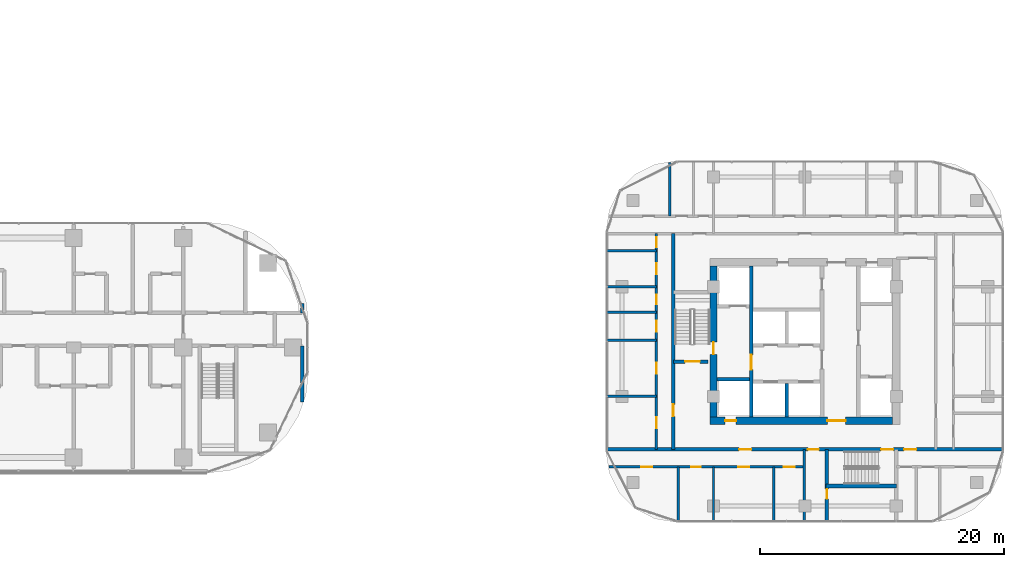
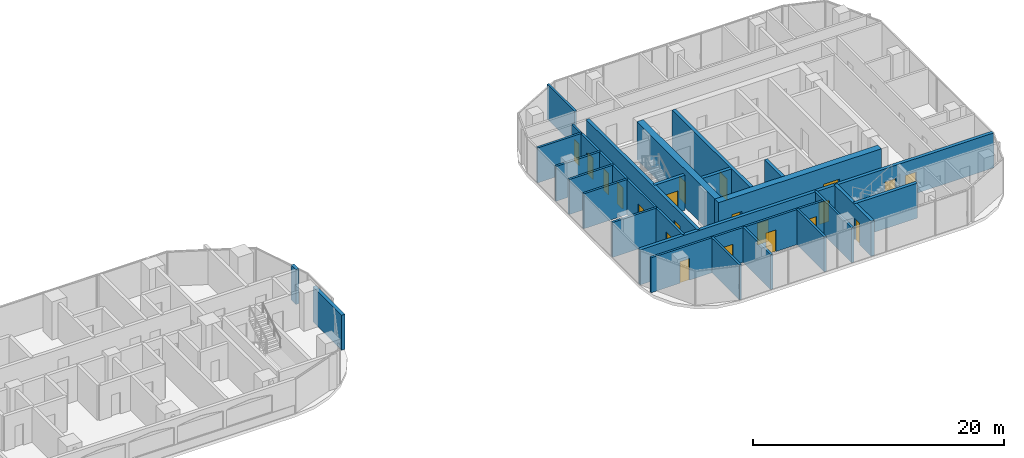
# One storey, part 24 of 36: 24 walls, 21 doors, 21 openings.
"""IFC4 building model written with IfcOpenShell, lengths in metres."""

from ifc_helpers import new_model, si_unit, direction, frame, frame_2d, origin, place, context, subcontext, project, spatial, rectangle, extrude, material, layer, layer_set, type_object, element, fill, save


model = new_model("IFC4")

# Units and contexts
model_context = context("Model", 3, precision=1e-05, world=origin(), true_north=direction((0.0, 1.0)))
body_context = subcontext(model_context, "Body", "Model", "MODEL_VIEW")
ifc_project = project(units=[si_unit("LENGTHUNIT", "METRE"), si_unit("AREAUNIT", "SQUARE_METRE"), si_unit("VOLUMEUNIT", "CUBIC_METRE"), si_unit("PLANEANGLEUNIT", "RADIAN"), si_unit("MASSUNIT", "GRAM", prefix="KILO")], contexts=[model_context])

# Site, building, storey
site_placement = place(None, origin())
site = spatial("IfcSite", under=ifc_project, at=site_placement, CompositionType="ELEMENT")
building_placement = place(site_placement, origin())
building = spatial("IfcBuilding", under=site, at=building_placement, Name="Ogive Portal Towers", CompositionType="ELEMENT")
storey_placement = place(building_placement, frame((0.0, 0.0, 48.300048828125)))
storey = spatial("IfcBuildingStorey", under=building, at=storey_placement, Name="L10", CompositionType="ELEMENT", Elevation=48.300048828125)

# Wall, opening, door
ifc_material_1 = material(Name="Concrete C60/75", Category="concrete")
ifc_layer_1 = layer(ifc_material_1, 0.300048828125)
ifc_layer_set_1 = layer_set([ifc_layer_1], Name="CORE WALL 300 C60")
wall_type_1 = type_object("IfcWallType", Name="CORE WALL 300 C60", PredefinedType="SHEAR", material=ifc_layer_set_1)
wall_1_placement = place(storey_placement, frame((132.10009765625, 24.800048828125, 0.0), z_axis=(0.0, 0.0, 1.0), x_axis=(0.0, 1.0, 0.0)))
wall_1 = element("IfcWall", 1, at=wall_1_placement, inside=storey, type_object=wall_type_1, Name="Tower B core wall BX1 L10", PredefinedType="SHEAR", context=body_context, shape_type="SweptSolid", body=[
    extrude(rectangle(XDim=12.39990234375, YDim=0.300048828125, at=frame_2d((6.199951171875, 0.0))), origin(), (0.0, 0.0, 1.0), 3.699951171875),
])
opening_1_placement = place(wall_1_placement, frame((3.89990234375, 0.0, 0.0)))
opening_1 = element("IfcOpeningElement", 2, at=opening_1_placement, cuts=wall_1, Name="Opening B02-042", PredefinedType="OPENING", context=body_context, shape_type="SweptSolid", body=[
    extrude(rectangle(XDim=1.199951171875, YDim=2.10009765625, at=frame_2d((0.60009765625, 1.050048828125))), frame((0.0, 0.16015625, 0.0), z_axis=(0.0, -1.0, 0.0), x_axis=(1.0, 0.0, 0.0)), (0.0, 0.0, 1.0), 0.320068359375),
])
ifc_material_2 = material(Name="Steel fire door", Category="steel")
door_type_1 = type_object("IfcDoorType", Name="DT-SWING-1200x2100-FD90S", OperationType="SINGLE_SWING_LEFT", PredefinedType="DOOR", material=ifc_material_2)
door_1_placement = place(opening_1_placement, origin())
door_1 = element("IfcDoor", 3, at=door_1_placement, inside=storey, type_object=door_type_1, Name="Door B02-042", OperationType="SINGLE_SWING_LEFT", OverallHeight=2.10009765625, OverallWidth=1.199951171875, PredefinedType="DOOR", context=body_context, shape_type="SweptSolid", body=[
    extrude(rectangle(XDim=1.199951171875, YDim=2.10009765625, at=frame_2d((0.60009765625, 1.050048828125))), frame((0.0, 0.02490234375, 0.0), z_axis=(0.0, -1.0, 0.0), x_axis=(1.0, 0.0, 0.0)), (0.0, 0.0, 1.0), 0.050048828125),
])
fill(opening_1, door_1)

# Walls
wall_2_placement = place(storey_placement, frame((135.0, 24.800048828125, 0.0), z_axis=(0.0, 0.0, 1.0), x_axis=(0.0, 1.0, 0.0)))
element("IfcWall", 4, at=wall_2_placement, inside=storey, type_object=wall_type_1, Name="Tower B core wall BX4 L10", PredefinedType="SHEAR", context=body_context, shape_type="SweptSolid", body=[
    extrude(rectangle(XDim=2.75, YDim=0.300048828125, at=frame_2d((1.375, 0.0))), origin(), (0.0, 0.0, 1.0), 3.699951171875),
])
wall_3_placement = place(storey_placement, frame((129.300048828125, 27.89990234375, 0.0), z_axis=(0.0, 0.0, 1.0), x_axis=(1.0, 0.0, 0.0)))
element("IfcWall", 5, at=wall_3_placement, inside=storey, type_object=wall_type_1, Name="Tower B core wall BY4 L10", PredefinedType="SHEAR", context=body_context, shape_type="SweptSolid", body=[
    extrude(rectangle(XDim=2.64990234375, YDim=0.300048828125, at=frame_2d((1.324951171875, 0.0))), origin(), (0.0, 0.0, 1.0), 3.699951171875),
])

# Wall, opening, door
ifc_layer_2 = layer(ifc_material_1, 0.60009765625)
ifc_layer_set_2 = layer_set([ifc_layer_2], Name="CORE WALL 600 C60")
wall_type_2 = type_object("IfcWallType", Name="CORE WALL 600 C60", PredefinedType="SHEAR", material=ifc_layer_set_2)
wall_4_placement = place(storey_placement, frame((129.0, 24.800048828125, 0.0), z_axis=(0.0, 0.0, 1.0), x_axis=(0.0, 1.0, 0.0)))
wall_4 = element("IfcWall", 6, at=wall_4_placement, inside=storey, type_object=wall_type_2, Name="Tower B core wall BW L10", PredefinedType="SHEAR", context=body_context, shape_type="SweptSolid", body=[
    extrude(rectangle(XDim=12.39990234375, YDim=0.60009765625, at=frame_2d((6.199951171875, 0.0))), origin(), (0.0, 0.0, 1.0), 3.699951171875),
])
opening_2_placement = place(wall_4_placement, frame((5.14990234375, 0.0, 0.0)))
opening_2 = element("IfcOpeningElement", 7, at=opening_2_placement, cuts=wall_4, Name="Opening B02-044", PredefinedType="OPENING", context=body_context, shape_type="SweptSolid", body=[
    extrude(rectangle(XDim=1.0, YDim=2.10009765625, at=frame_2d((0.5, 1.050048828125))), frame((0.0, 0.31005859375, 0.0), z_axis=(0.0, -1.0, 0.0), x_axis=(1.0, 0.0, 0.0)), (0.0, 0.0, 1.0), 0.6201171875),
])
door_type_2 = type_object("IfcDoorType", Name="DT-SWING-1000x2100-FD90S", OperationType="SINGLE_SWING_LEFT", PredefinedType="DOOR", material=ifc_material_2)
door_2_placement = place(opening_2_placement, origin())
door_2 = element("IfcDoor", 8, at=door_2_placement, inside=storey, type_object=door_type_2, Name="Door B02-044", OperationType="SINGLE_SWING_RIGHT", OverallHeight=2.10009765625, OverallWidth=1.0, PredefinedType="DOOR", context=body_context, shape_type="SweptSolid", body=[
    extrude(rectangle(XDim=1.0, YDim=2.10009765625, at=frame_2d((0.5, 1.050048828125))), frame((0.0, 0.02490234375, 0.0), z_axis=(0.0, -1.0, 0.0), x_axis=(1.0, 0.0, 0.0)), (0.0, 0.0, 1.0), 0.050048828125),
])
fill(opening_2, door_2)

# Wall, openings, doors
wall_5_placement = place(storey_placement, frame((128.699951171875, 24.5, 0.0), z_axis=(0.0, 0.0, 1.0), x_axis=(1.0, 0.0, 0.0)))
wall_5 = element("IfcWall", 9, at=wall_5_placement, inside=storey, type_object=wall_type_2, Name="Tower B core wall BS L10", PredefinedType="SHEAR", context=body_context, shape_type="SweptSolid", body=[
    extrude(rectangle(XDim=15.0, YDim=0.60009765625, at=frame_2d((7.5, 0.0))), origin(), (0.0, 0.0, 1.0), 3.699951171875),
])
opening_3_placement = place(wall_5_placement, frame((9.64990234375, 0.0, 0.0)))
opening_3 = element("IfcOpeningElement", 10, at=opening_3_placement, cuts=wall_5, Name="Opening B02-045", PredefinedType="OPENING", context=body_context, shape_type="SweptSolid", body=[
    extrude(rectangle(XDim=1.5, YDim=2.10009765625, at=frame_2d((0.75, 1.050048828125))), frame((0.0, 0.31005859375, 0.0), z_axis=(0.0, -1.0, 0.0), x_axis=(1.0, 0.0, 0.0)), (0.0, 0.0, 1.0), 0.6201171875),
])
opening_4_placement = place(wall_5_placement, frame((1.25, 0.0, 0.0)))
opening_4 = element("IfcOpeningElement", 11, at=opening_4_placement, cuts=wall_5, Name="Opening B02-047", PredefinedType="OPENING", context=body_context, shape_type="SweptSolid", body=[
    extrude(rectangle(XDim=0.89990234375, YDim=2.10009765625, at=frame_2d((0.449951171875, 1.050048828125))), frame((0.0, 0.31005859375, 0.0), z_axis=(0.0, -1.0, 0.0), x_axis=(1.0, 0.0, 0.0)), (0.0, 0.0, 1.0), 0.6201171875),
])
door_type_3 = type_object("IfcDoorType", Name="DT-SWING-1500x2100-FD90S", OperationType="SINGLE_SWING_LEFT", PredefinedType="DOOR", material=ifc_material_2)
door_3_placement = place(opening_3_placement, origin())
door_3 = element("IfcDoor", 12, at=door_3_placement, inside=storey, type_object=door_type_3, Name="Door B02-045", OperationType="SINGLE_SWING_LEFT", OverallHeight=2.10009765625, OverallWidth=1.5, PredefinedType="DOOR", context=body_context, shape_type="SweptSolid", body=[
    extrude(rectangle(XDim=1.5, YDim=2.10009765625, at=frame_2d((0.75, 1.050048828125))), frame((0.0, 0.02490234375, 0.0), z_axis=(0.0, -1.0, 0.0), x_axis=(1.0, 0.0, 0.0)), (0.0, 0.0, 1.0), 0.050048828125),
])
fill(opening_3, door_3)
door_type_4 = type_object("IfcDoorType", Name="DT-SWING-900x2100-FD90S", OperationType="SINGLE_SWING_LEFT", PredefinedType="DOOR", material=ifc_material_2)
door_4_placement = place(opening_4_placement, origin())
door_4 = element("IfcDoor", 13, at=door_4_placement, inside=storey, type_object=door_type_4, Name="Riser access door B02-047", OperationType="SINGLE_SWING_LEFT", OverallHeight=2.10009765625, OverallWidth=0.89990234375, PredefinedType="DOOR", context=body_context, shape_type="SweptSolid", body=[
    extrude(rectangle(XDim=0.89990234375, YDim=2.10009765625, at=frame_2d((0.449951171875, 1.050048828125))), frame((0.0, 0.02490234375, 0.0), z_axis=(0.0, -1.0, 0.0), x_axis=(1.0, 0.0, 0.0)), (0.0, 0.0, 1.0), 0.050048828125),
])
fill(opening_4, door_4)

# Wall
ifc_material_3 = material(Name="Concrete C50/60", Category="concrete")
ifc_layer_3 = layer(ifc_material_3, 0.300048828125)
ifc_layer_set_3 = layer_set([ifc_layer_3], Name="STAIR WALL 300 C50")
wall_type_3 = type_object("IfcWallType", Name="STAIR WALL 300 C50", PredefinedType="SHEAR", material=ifc_layer_set_3)
wall_6_placement = place(storey_placement, frame((138.25, 19.14990234375, 0.0), z_axis=(0.0, 0.0, 1.0), x_axis=(1.0, 0.0, 0.0)))
element("IfcWall", 14, at=wall_6_placement, inside=storey, type_object=wall_type_3, Name="Stair wall ST-B2 L10", PredefinedType="SHEAR", context=body_context, shape_type="SweptSolid", body=[
    extrude(rectangle(XDim=5.75, YDim=0.300048828125, at=frame_2d((2.875, 0.0))), origin(), (0.0, 0.0, 1.0), 3.39990234375),
])

# Wall, openings, doors
wall_7_placement = place(storey_placement, frame((120.235107421875, 22.14990234375, 0.0), z_axis=(0.0, 0.0, 1.0), x_axis=(1.0, 0.0, 0.0)))
wall_7 = element("IfcWall", 15, at=wall_7_placement, inside=storey, type_object=wall_type_3, Name="Stair wall ST-B2 L10", PredefinedType="SHEAR", context=body_context, shape_type="SweptSolid", body=[
    extrude(rectangle(XDim=32.52978515625, YDim=0.300048828125, at=frame_2d((16.264892578125, 0.0))), origin(), (0.0, 0.0, 1.0), 3.39990234375),
])
opening_5_placement = place(wall_7_placement, frame((22.514892578125, 0.0, 0.0)))
opening_5 = element("IfcOpeningElement", 16, at=opening_5_placement, cuts=wall_7, Name="Opening B02-003", PredefinedType="OPENING", context=body_context, shape_type="SweptSolid", body=[
    extrude(rectangle(XDim=1.0, YDim=2.10009765625, at=frame_2d((0.5, 1.050048828125))), frame((0.0, 0.16015625, 0.0), z_axis=(0.0, -1.0, 0.0), x_axis=(1.0, 0.0, 0.0)), (0.0, 0.0, 1.0), 0.320068359375),
])
opening_6_placement = place(wall_7_placement, frame((10.864990234375, 0.0, 0.0)))
opening_6 = element("IfcOpeningElement", 17, at=opening_6_placement, cuts=wall_7, Name="Opening B02-017", PredefinedType="OPENING", context=body_context, shape_type="SweptSolid", body=[
    extrude(rectangle(XDim=1.0, YDim=2.10009765625, at=frame_2d((0.5, 1.050048828125))), frame((0.0, 0.16015625, 0.0), z_axis=(0.0, -1.0, 0.0), x_axis=(1.0, 0.0, 0.0)), (0.0, 0.0, 1.0), 0.320068359375),
])
opening_7_placement = place(wall_7_placement, frame((24.4150390625, 0.0, 0.0)))
opening_7 = element("IfcOpeningElement", 18, at=opening_7_placement, cuts=wall_7, Name="Opening B02-022", PredefinedType="OPENING", context=body_context, shape_type="SweptSolid", body=[
    extrude(rectangle(XDim=1.0, YDim=2.10009765625, at=frame_2d((0.5, 1.050048828125))), frame((0.0, 0.16015625, 0.0), z_axis=(0.0, -1.0, 0.0), x_axis=(1.0, 0.0, 0.0)), (0.0, 0.0, 1.0), 0.320068359375),
])
opening_8_placement = place(wall_7_placement, frame((16.514892578125, 0.0, 0.0)))
opening_8 = element("IfcOpeningElement", 19, at=opening_8_placement, cuts=wall_7, Name="Opening B02-026", PredefinedType="OPENING", context=body_context, shape_type="SweptSolid", body=[
    extrude(rectangle(XDim=0.89990234375, YDim=2.10009765625, at=frame_2d((0.449951171875, 1.050048828125))), frame((0.0, 0.16015625, 0.0), z_axis=(0.0, -1.0, 0.0), x_axis=(1.0, 0.0, 0.0)), (0.0, 0.0, 1.0), 0.320068359375),
])
door_5_placement = place(opening_5_placement, origin())
door_5 = element("IfcDoor", 20, at=door_5_placement, inside=storey, type_object=door_type_2, Name="Door B02-003", OperationType="SINGLE_SWING_LEFT", OverallHeight=2.10009765625, OverallWidth=1.0, PredefinedType="DOOR", context=body_context, shape_type="SweptSolid", body=[
    extrude(rectangle(XDim=1.0, YDim=2.10009765625, at=frame_2d((0.5, 1.050048828125))), frame((0.0, 0.02490234375, 0.0), z_axis=(0.0, -1.0, 0.0), x_axis=(1.0, 0.0, 0.0)), (0.0, 0.0, 1.0), 0.050048828125),
])
fill(opening_5, door_5)
door_6_placement = place(opening_6_placement, origin())
door_6 = element("IfcDoor", 21, at=door_6_placement, inside=storey, type_object=door_type_2, Name="Door B02-017", OperationType="SINGLE_SWING_LEFT", OverallHeight=2.10009765625, OverallWidth=1.0, PredefinedType="DOOR", context=body_context, shape_type="SweptSolid", body=[
    extrude(rectangle(XDim=1.0, YDim=2.10009765625, at=frame_2d((0.5, 1.050048828125))), frame((0.0, 0.02490234375, 0.0), z_axis=(0.0, -1.0, 0.0), x_axis=(1.0, 0.0, 0.0)), (0.0, 0.0, 1.0), 0.050048828125),
])
fill(opening_6, door_6)
door_7_placement = place(opening_7_placement, origin())
door_7 = element("IfcDoor", 22, at=door_7_placement, inside=storey, type_object=door_type_2, Name="Door B02-022", OperationType="SINGLE_SWING_RIGHT", OverallHeight=2.10009765625, OverallWidth=1.0, PredefinedType="DOOR", context=body_context, shape_type="SweptSolid", body=[
    extrude(rectangle(XDim=1.0, YDim=2.10009765625, at=frame_2d((0.5, 1.050048828125))), frame((0.0, 0.02490234375, 0.0), z_axis=(0.0, -1.0, 0.0), x_axis=(1.0, 0.0, 0.0)), (0.0, 0.0, 1.0), 0.050048828125),
])
fill(opening_7, door_7)
door_8_placement = place(opening_8_placement, origin())
door_8 = element("IfcDoor", 23, at=door_8_placement, inside=storey, type_object=door_type_4, Name="Door B02-026", OperationType="SINGLE_SWING_RIGHT", OverallHeight=2.10009765625, OverallWidth=0.89990234375, PredefinedType="DOOR", context=body_context, shape_type="SweptSolid", body=[
    extrude(rectangle(XDim=0.89990234375, YDim=2.10009765625, at=frame_2d((0.449951171875, 1.050048828125))), frame((0.0, 0.02490234375, 0.0), z_axis=(0.0, -1.0, 0.0), x_axis=(1.0, 0.0, 0.0)), (0.0, 0.0, 1.0), 0.050048828125),
])
fill(opening_8, door_8)

# Wall, opening, door
wall_8_placement = place(storey_placement, frame((125.699951171875, 29.35009765625, 0.0), z_axis=(0.0, 0.0, 1.0), x_axis=(1.0, 0.0, 0.0)))
wall_8 = element("IfcWall", 24, at=wall_8_placement, inside=storey, type_object=wall_type_3, Name="Stair wall ST-B1 L10", PredefinedType="SHEAR", context=body_context, shape_type="SweptSolid", body=[
    extrude(rectangle(XDim=2.830078125, YDim=0.300048828125, at=frame_2d((1.4150390625, 0.0))), origin(), (0.0, 0.0, 1.0), 3.39990234375),
])
opening_9_placement = place(wall_8_placement, frame((0.97509765625, 0.0, 0.0)))
opening_9 = element("IfcOpeningElement", 25, at=opening_9_placement, cuts=wall_8, Name="Opening B02-002", PredefinedType="OPENING", context=body_context, shape_type="SweptSolid", body=[
    extrude(rectangle(XDim=1.199951171875, YDim=2.10009765625, at=frame_2d((0.60009765625, 1.050048828125))), frame((0.0, 0.16015625, 0.0), z_axis=(0.0, -1.0, 0.0), x_axis=(1.0, 0.0, 0.0)), (0.0, 0.0, 1.0), 0.320068359375),
])
door_9_placement = place(opening_9_placement, origin())
door_9 = element("IfcDoor", 26, at=door_9_placement, inside=storey, type_object=door_type_1, Name="Door B02-002", OperationType="SINGLE_SWING_RIGHT", OverallHeight=2.10009765625, OverallWidth=1.199951171875, PredefinedType="DOOR", context=body_context, shape_type="SweptSolid", body=[
    extrude(rectangle(XDim=1.199951171875, YDim=2.10009765625, at=frame_2d((0.60009765625, 1.050048828125))), frame((0.0, 0.02490234375, 0.0), z_axis=(0.0, -1.0, 0.0), x_axis=(1.0, 0.0, 0.0)), (0.0, 0.0, 1.0), 0.050048828125),
])
fill(opening_9, door_9)

wall_9_placement = place(storey_placement, frame((125.699951171875, 22.14990234375, 0.0), z_axis=(0.0, 0.0, 1.0), x_axis=(0.0, 1.0, 0.0)))
wall_9 = element("IfcWall", 27, at=wall_9_placement, inside=storey, type_object=wall_type_3, Name="Stair wall ST-B1 L10", PredefinedType="SHEAR", context=body_context, shape_type="SweptSolid", body=[
    extrude(rectangle(XDim=17.7001953125, YDim=0.300048828125, at=frame_2d((8.85009765625, 0.0))), origin(), (0.0, 0.0, 1.0), 3.39990234375),
])
opening_10_placement = place(wall_9_placement, frame((2.699951171875, 0.0, 0.0)))
opening_10 = element("IfcOpeningElement", 28, at=opening_10_placement, cuts=wall_9, Name="Opening B02-028", PredefinedType="OPENING", context=body_context, shape_type="SweptSolid", body=[
    extrude(rectangle(XDim=1.0, YDim=2.10009765625, at=frame_2d((0.5, 1.050048828125))), frame((0.0, 0.16015625, 0.0), z_axis=(0.0, -1.0, 0.0), x_axis=(1.0, 0.0, 0.0)), (0.0, 0.0, 1.0), 0.320068359375),
])
door_10_placement = place(opening_10_placement, origin())
door_10 = element("IfcDoor", 29, at=door_10_placement, inside=storey, type_object=door_type_2, Name="Door B02-028", OperationType="SINGLE_SWING_RIGHT", OverallHeight=2.10009765625, OverallWidth=1.0, PredefinedType="DOOR", context=body_context, shape_type="SweptSolid", body=[
    extrude(rectangle(XDim=1.0, YDim=2.10009765625, at=frame_2d((0.5, 1.050048828125))), frame((0.0, 0.02490234375, 0.0), z_axis=(0.0, -1.0, 0.0), x_axis=(1.0, 0.0, 0.0)), (0.0, 0.0, 1.0), 0.050048828125),
])
fill(opening_10, door_10)

wall_10_placement = place(storey_placement, frame((138.300048828125, 16.235107421875, 0.0), z_axis=(0.0, 0.0, 1.0), x_axis=(0.0, 1.0, 0.0)))
wall_10 = element("IfcWall", 30, at=wall_10_placement, inside=storey, type_object=wall_type_3, Name="Stair wall ST-B2 L10", PredefinedType="SHEAR", context=body_context, shape_type="SweptSolid", body=[
    extrude(rectangle(XDim=5.914794921875, YDim=0.300048828125, at=frame_2d((2.95751953125, 0.0))), origin(), (0.0, 0.0, 1.0), 3.39990234375),
])
opening_11_placement = place(wall_10_placement, frame((1.864990234375, 0.0, 0.0)))
opening_11 = element("IfcOpeningElement", 31, at=opening_11_placement, cuts=wall_10, Name="Opening B02-027", PredefinedType="OPENING", context=body_context, shape_type="SweptSolid", body=[
    extrude(rectangle(XDim=0.800048828125, YDim=2.10009765625, at=frame_2d((0.39990234375, 1.050048828125))), frame((0.0, 0.16015625, 0.0), z_axis=(0.0, -1.0, 0.0), x_axis=(1.0, 0.0, 0.0)), (0.0, 0.0, 1.0), 0.320068359375),
])
door_type_5 = type_object("IfcDoorType", Name="DT-SWING-800x2100-FD90S", OperationType="SINGLE_SWING_LEFT", PredefinedType="DOOR", material=ifc_material_2)
door_11_placement = place(opening_11_placement, origin())
door_11 = element("IfcDoor", 32, at=door_11_placement, inside=storey, type_object=door_type_5, Name="Door B02-027", OperationType="SINGLE_SWING_LEFT", OverallHeight=2.10009765625, OverallWidth=0.800048828125, PredefinedType="DOOR", context=body_context, shape_type="SweptSolid", body=[
    extrude(rectangle(XDim=0.800048828125, YDim=2.10009765625, at=frame_2d((0.39990234375, 1.050048828125))), frame((0.0, 0.02490234375, 0.0), z_axis=(0.0, -1.0, 0.0), x_axis=(1.0, 0.0, 0.0)), (0.0, 0.0, 1.0), 0.050048828125),
])
fill(opening_11, door_11)

# Wall, openings, doors
ifc_material_4 = material(Name="Gypsum board partition on steel studs", Category="steel")
ifc_layer_4 = layer(ifc_material_4, 0.199951171875)
ifc_layer_set_4 = layer_set([ifc_layer_4], Name="WT-PART-200-EI 60")
wall_type_4 = type_object("IfcWallType", Name="WT-PART-200-EI 60", PredefinedType="PARTITIONING", material=ifc_layer_set_4)
wall_11_placement = place(storey_placement, frame((120.43994140625, 20.7099609375, 0.0), z_axis=(0.0, 0.0, 1.0), x_axis=(1.0, 0.0, 0.0)))
wall_11 = element("IfcWall", 33, at=wall_11_placement, inside=storey, type_object=wall_type_4, Name="Wall L10:w002", PredefinedType="PARTITIONING", context=body_context, shape_type="SweptSolid", body=[
    extrude(rectangle(XDim=16.06005859375, YDim=0.199951171875, at=frame_2d((8.030029296875, 0.0))), origin(), (0.0, 0.0, 1.0), 3.39990234375),
])
opening_12_placement = place(wall_11_placement, frame((2.636962890625, 0.0, 0.0)))
opening_12 = element("IfcOpeningElement", 34, at=opening_12_placement, cuts=wall_11, Name="Opening B02-018", PredefinedType="OPENING", context=body_context, shape_type="SweptSolid", body=[
    extrude(rectangle(XDim=0.89990234375, YDim=2.10009765625, at=frame_2d((0.449951171875, 1.050048828125))), frame((0.0, 0.10986328125, 0.0), z_axis=(0.0, -1.0, 0.0), x_axis=(1.0, 0.0, 0.0)), (0.0, 0.0, 1.0), 0.219970703125),
])
opening_13_placement = place(wall_11_placement, frame((6.718994140625, 0.0, 0.0)))
opening_13 = element("IfcOpeningElement", 35, at=opening_13_placement, cuts=wall_11, Name="Opening B02-019", PredefinedType="OPENING", context=body_context, shape_type="SweptSolid", body=[
    extrude(rectangle(XDim=0.800048828125, YDim=2.10009765625, at=frame_2d((0.39990234375, 1.050048828125))), frame((0.0, 0.10986328125, 0.0), z_axis=(0.0, -1.0, 0.0), x_axis=(1.0, 0.0, 0.0)), (0.0, 0.0, 1.0), 0.219970703125),
])
opening_14_placement = place(wall_11_placement, frame((10.576904296875, 0.0, 0.0)))
opening_14 = element("IfcOpeningElement", 36, at=opening_14_placement, cuts=wall_11, Name="Opening B02-020", PredefinedType="OPENING", context=body_context, shape_type="SweptSolid", body=[
    extrude(rectangle(XDim=0.89990234375, YDim=2.10009765625, at=frame_2d((0.449951171875, 1.050048828125))), frame((0.0, 0.10986328125, 0.0), z_axis=(0.0, -1.0, 0.0), x_axis=(1.0, 0.0, 0.0)), (0.0, 0.0, 1.0), 0.219970703125),
])
opening_15_placement = place(wall_11_placement, frame((14.326904296875, 0.0, 0.0)))
opening_15 = element("IfcOpeningElement", 37, at=opening_15_placement, cuts=wall_11, Name="Opening B02-021", PredefinedType="OPENING", context=body_context, shape_type="SweptSolid", body=[
    extrude(rectangle(XDim=0.89990234375, YDim=2.10009765625, at=frame_2d((0.449951171875, 1.050048828125))), frame((0.0, 0.10986328125, 0.0), z_axis=(0.0, -1.0, 0.0), x_axis=(1.0, 0.0, 0.0)), (0.0, 0.0, 1.0), 0.219970703125),
])
door_type_6 = type_object("IfcDoorType", Name="DT-SWING-800x2100-FD60S", OperationType="SINGLE_SWING_LEFT", PredefinedType="DOOR", material=ifc_material_2)
door_12_placement = place(opening_13_placement, origin())
door_12 = element("IfcDoor", 38, at=door_12_placement, inside=storey, type_object=door_type_6, Name="Door B02-019", OperationType="SINGLE_SWING_LEFT", OverallHeight=2.10009765625, OverallWidth=0.800048828125, PredefinedType="DOOR", context=body_context, shape_type="SweptSolid", body=[
    extrude(rectangle(XDim=0.800048828125, YDim=2.10009765625, at=frame_2d((0.39990234375, 1.050048828125))), frame((0.0, 0.02490234375, 0.0), z_axis=(0.0, -1.0, 0.0), x_axis=(1.0, 0.0, 0.0)), (0.0, 0.0, 1.0), 0.050048828125),
])
fill(opening_13, door_12)
door_type_7 = type_object("IfcDoorType", Name="DT-SWING-900x2100-FD60S", OperationType="SINGLE_SWING_LEFT", PredefinedType="DOOR", material=ifc_material_2)
door_13_placement = place(opening_12_placement, origin())
door_13 = element("IfcDoor", 39, at=door_13_placement, inside=storey, type_object=door_type_7, Name="Door B02-018", OperationType="SINGLE_SWING_RIGHT", OverallHeight=2.10009765625, OverallWidth=0.89990234375, PredefinedType="DOOR", context=body_context, shape_type="SweptSolid", body=[
    extrude(rectangle(XDim=0.89990234375, YDim=2.10009765625, at=frame_2d((0.449951171875, 1.050048828125))), frame((0.0, 0.02490234375, 0.0), z_axis=(0.0, -1.0, 0.0), x_axis=(1.0, 0.0, 0.0)), (0.0, 0.0, 1.0), 0.050048828125),
])
fill(opening_12, door_13)
door_14_placement = place(opening_14_placement, origin())
door_14 = element("IfcDoor", 40, at=door_14_placement, inside=storey, type_object=door_type_7, Name="Door B02-020", OperationType="SINGLE_SWING_RIGHT", OverallHeight=2.10009765625, OverallWidth=0.89990234375, PredefinedType="DOOR", context=body_context, shape_type="SweptSolid", body=[
    extrude(rectangle(XDim=0.89990234375, YDim=2.10009765625, at=frame_2d((0.449951171875, 1.050048828125))), frame((0.0, 0.02490234375, 0.0), z_axis=(0.0, -1.0, 0.0), x_axis=(1.0, 0.0, 0.0)), (0.0, 0.0, 1.0), 0.050048828125),
])
fill(opening_14, door_14)
door_15_placement = place(opening_15_placement, origin())
door_15 = element("IfcDoor", 41, at=door_15_placement, inside=storey, type_object=door_type_7, Name="Door B02-021", OperationType="SINGLE_SWING_LEFT", OverallHeight=2.10009765625, OverallWidth=0.89990234375, PredefinedType="DOOR", context=body_context, shape_type="SweptSolid", body=[
    extrude(rectangle(XDim=0.89990234375, YDim=2.10009765625, at=frame_2d((0.449951171875, 1.050048828125))), frame((0.0, 0.02490234375, 0.0), z_axis=(0.0, -1.0, 0.0), x_axis=(1.0, 0.0, 0.0)), (0.0, 0.0, 1.0), 0.050048828125),
])
fill(opening_15, door_15)

# Walls
for number, where, z_axis, x_axis, name in (
    (42, (120.235107421875, 26.5, 0.0), (0.0, 0.0, 1.0), (1.0, 0.0, 0.0), "Wall L10:w008"),
    (43, (120.235107421875, 31.091064453125, 0.0), (0.0, 0.0, 1.0), (1.0, 0.0, 0.0), "Wall L10:w011"),
    (44, (120.235107421875, 33.39111328125, 0.0), (0.0, 0.0, 1.0), (1.0, 0.0, 0.0), "Wall L10:w013"),
    (45, (120.235107421875, 35.5, 0.0), (0.0, 0.0, 1.0), (1.0, 0.0, 0.0), "Wall L10:w015"),
    (46, (120.235107421875, 38.4560546875, 0.0), (0.0, 0.0, 1.0), (1.0, 0.0, 0.0), "Wall L10:w019"),
):
    element("IfcWall", number, at=place(storey_placement, frame(where, z_axis=z_axis, x_axis=x_axis)), inside=storey, type_object=wall_type_4, Name=name, PredefinedType="PARTITIONING", context=body_context, shape_type="SweptSolid", body=[
        extrude(rectangle(XDim=4.074951171875, YDim=0.199951171875, at=frame_2d((2.03759765625, 0.0))), origin(), (0.0, 0.0, 1.0), 3.39990234375),
    ])

# Wall, openings, doors
wall_12_placement = place(storey_placement, frame((124.31005859375, 22.14990234375, 0.0), z_axis=(0.0, 0.0, 1.0), x_axis=(0.0, 1.0, 0.0)))
wall_12 = element("IfcWall", 47, at=wall_12_placement, inside=storey, type_object=wall_type_4, Name="Wall L10:w022", PredefinedType="PARTITIONING", context=body_context, shape_type="SweptSolid", body=[
    extrude(rectangle(XDim=17.7001953125, YDim=0.199951171875, at=frame_2d((8.85009765625, 0.0))), origin(), (0.0, 0.0, 1.0), 3.39990234375),
])
opening_16_placement = place(wall_12_placement, frame((1.72509765625, 0.0, 0.0)))
opening_16 = element("IfcOpeningElement", 48, at=opening_16_placement, cuts=wall_12, Name="Opening B02-029", PredefinedType="OPENING", context=body_context, shape_type="SweptSolid", body=[
    extrude(rectangle(XDim=0.89990234375, YDim=2.10009765625, at=frame_2d((0.449951171875, 1.050048828125))), frame((0.0, 0.10986328125, 0.0), z_axis=(0.0, -1.0, 0.0), x_axis=(1.0, 0.0, 0.0)), (0.0, 0.0, 1.0), 0.219970703125),
])
opening_17_placement = place(wall_12_placement, frame((6.195068359375, 0.0, 0.0)))
opening_17 = element("IfcOpeningElement", 49, at=opening_17_placement, cuts=wall_12, Name="Opening B02-030", PredefinedType="OPENING", context=body_context, shape_type="SweptSolid", body=[
    extrude(rectangle(XDim=0.89990234375, YDim=2.10009765625, at=frame_2d((0.449951171875, 1.050048828125))), frame((0.0, 0.10986328125, 0.0), z_axis=(0.0, -1.0, 0.0), x_axis=(1.0, 0.0, 0.0)), (0.0, 0.0, 1.0), 0.219970703125),
])
opening_18_placement = place(wall_12_placement, frame((9.64111328125, 0.0, 0.0)))
opening_18 = element("IfcOpeningElement", 50, at=opening_18_placement, cuts=wall_12, Name="Opening B02-031", PredefinedType="OPENING", context=body_context, shape_type="SweptSolid", body=[
    extrude(rectangle(XDim=0.89990234375, YDim=2.10009765625, at=frame_2d((0.449951171875, 1.050048828125))), frame((0.0, 0.10986328125, 0.0), z_axis=(0.0, -1.0, 0.0), x_axis=(1.0, 0.0, 0.0)), (0.0, 0.0, 1.0), 0.219970703125),
])
opening_19_placement = place(wall_12_placement, frame((11.89501953125, 0.0, 0.0)))
opening_19 = element("IfcOpeningElement", 51, at=opening_19_placement, cuts=wall_12, Name="Opening B02-032", PredefinedType="OPENING", context=body_context, shape_type="SweptSolid", body=[
    extrude(rectangle(XDim=0.800048828125, YDim=2.10009765625, at=frame_2d((0.39990234375, 1.050048828125))), frame((0.0, 0.10986328125, 0.0), z_axis=(0.0, -1.0, 0.0), x_axis=(1.0, 0.0, 0.0)), (0.0, 0.0, 1.0), 0.219970703125),
])
opening_20_placement = place(wall_12_placement, frame((14.3779296875, 0.0, 0.0)))
opening_20 = element("IfcOpeningElement", 52, at=opening_20_placement, cuts=wall_12, Name="Opening B02-033", PredefinedType="OPENING", context=body_context, shape_type="SweptSolid", body=[
    extrude(rectangle(XDim=0.89990234375, YDim=2.10009765625, at=frame_2d((0.449951171875, 1.050048828125))), frame((0.0, 0.10986328125, 0.0), z_axis=(0.0, -1.0, 0.0), x_axis=(1.0, 0.0, 0.0)), (0.0, 0.0, 1.0), 0.219970703125),
])
opening_21_placement = place(wall_12_placement, frame((16.60302734375, 0.0, 0.0)))
opening_21 = element("IfcOpeningElement", 53, at=opening_21_placement, cuts=wall_12, Name="Opening B02-034", PredefinedType="OPENING", context=body_context, shape_type="SweptSolid", body=[
    extrude(rectangle(XDim=0.800048828125, YDim=2.10009765625, at=frame_2d((0.39990234375, 1.050048828125))), frame((0.0, 0.10986328125, 0.0), z_axis=(0.0, -1.0, 0.0), x_axis=(1.0, 0.0, 0.0)), (0.0, 0.0, 1.0), 0.219970703125),
])
door_16_placement = place(opening_19_placement, origin())
door_16 = element("IfcDoor", 54, at=door_16_placement, inside=storey, type_object=door_type_6, Name="Door B02-032", OperationType="SINGLE_SWING_RIGHT", OverallHeight=2.10009765625, OverallWidth=0.800048828125, PredefinedType="DOOR", context=body_context, shape_type="SweptSolid", body=[
    extrude(rectangle(XDim=0.800048828125, YDim=2.10009765625, at=frame_2d((0.39990234375, 1.050048828125))), frame((0.0, 0.02490234375, 0.0), z_axis=(0.0, -1.0, 0.0), x_axis=(1.0, 0.0, 0.0)), (0.0, 0.0, 1.0), 0.050048828125),
])
fill(opening_19, door_16)
door_17_placement = place(opening_21_placement, origin())
door_17 = element("IfcDoor", 55, at=door_17_placement, inside=storey, type_object=door_type_6, Name="Door B02-034", OperationType="SINGLE_SWING_RIGHT", OverallHeight=2.10009765625, OverallWidth=0.800048828125, PredefinedType="DOOR", context=body_context, shape_type="SweptSolid", body=[
    extrude(rectangle(XDim=0.800048828125, YDim=2.10009765625, at=frame_2d((0.39990234375, 1.050048828125))), frame((0.0, 0.02490234375, 0.0), z_axis=(0.0, -1.0, 0.0), x_axis=(1.0, 0.0, 0.0)), (0.0, 0.0, 1.0), 0.050048828125),
])
fill(opening_21, door_17)
door_18_placement = place(opening_16_placement, origin())
door_18 = element("IfcDoor", 56, at=door_18_placement, inside=storey, type_object=door_type_7, Name="Door B02-029", OperationType="SINGLE_SWING_LEFT", OverallHeight=2.10009765625, OverallWidth=0.89990234375, PredefinedType="DOOR", context=body_context, shape_type="SweptSolid", body=[
    extrude(rectangle(XDim=0.89990234375, YDim=2.10009765625, at=frame_2d((0.449951171875, 1.050048828125))), frame((0.0, 0.02490234375, 0.0), z_axis=(0.0, -1.0, 0.0), x_axis=(1.0, 0.0, 0.0)), (0.0, 0.0, 1.0), 0.050048828125),
])
fill(opening_16, door_18)
door_19_placement = place(opening_17_placement, origin())
door_19 = element("IfcDoor", 57, at=door_19_placement, inside=storey, type_object=door_type_7, Name="Door B02-030", OperationType="SINGLE_SWING_RIGHT", OverallHeight=2.10009765625, OverallWidth=0.89990234375, PredefinedType="DOOR", context=body_context, shape_type="SweptSolid", body=[
    extrude(rectangle(XDim=0.89990234375, YDim=2.10009765625, at=frame_2d((0.449951171875, 1.050048828125))), frame((0.0, 0.02490234375, 0.0), z_axis=(0.0, -1.0, 0.0), x_axis=(1.0, 0.0, 0.0)), (0.0, 0.0, 1.0), 0.050048828125),
])
fill(opening_17, door_19)
door_20_placement = place(opening_18_placement, origin())
door_20 = element("IfcDoor", 58, at=door_20_placement, inside=storey, type_object=door_type_7, Name="Door B02-031", OperationType="SINGLE_SWING_LEFT", OverallHeight=2.10009765625, OverallWidth=0.89990234375, PredefinedType="DOOR", context=body_context, shape_type="SweptSolid", body=[
    extrude(rectangle(XDim=0.89990234375, YDim=2.10009765625, at=frame_2d((0.449951171875, 1.050048828125))), frame((0.0, 0.02490234375, 0.0), z_axis=(0.0, -1.0, 0.0), x_axis=(1.0, 0.0, 0.0)), (0.0, 0.0, 1.0), 0.050048828125),
])
fill(opening_18, door_20)
door_21_placement = place(opening_20_placement, origin())
door_21 = element("IfcDoor", 59, at=door_21_placement, inside=storey, type_object=door_type_7, Name="Door B02-033", OperationType="SINGLE_SWING_LEFT", OverallHeight=2.10009765625, OverallWidth=0.89990234375, PredefinedType="DOOR", context=body_context, shape_type="SweptSolid", body=[
    extrude(rectangle(XDim=0.89990234375, YDim=2.10009765625, at=frame_2d((0.449951171875, 1.050048828125))), frame((0.0, 0.02490234375, 0.0), z_axis=(0.0, -1.0, 0.0), x_axis=(1.0, 0.0, 0.0)), (0.0, 0.0, 1.0), 0.050048828125),
])
fill(opening_20, door_21)

# Walls
wall_13_placement = place(storey_placement, frame((125.428955078125, 41.2900390625, 0.0), z_axis=(0.0, 0.0, 1.0), x_axis=(0.0, 1.0, 0.0)))
element("IfcWall", 60, at=wall_13_placement, inside=storey, type_object=wall_type_4, Name="Wall L10:w023", PredefinedType="PARTITIONING", context=body_context, shape_type="SweptSolid", body=[
    extrude(rectangle(XDim=4.384033203125, YDim=0.199951171875, at=frame_2d((2.19189453125, 0.0))), origin(), (0.0, 0.0, 1.0), 3.39990234375),
])
for number, where, z_axis, x_axis, name in (
    (61, (126.117919921875, 16.235107421875, 0.0), (0.0, 0.0, 1.0), (0.0, 1.0, 0.0), "Wall L10:w025"),
    (62, (129.0, 16.235107421875, 0.0), (0.0, 0.0, 1.0), (0.0, 1.0, 0.0), "Wall L10:w029"),
    (63, (133.93310546875, 16.235107421875, 0.0), (0.0, 0.0, 1.0), (0.0, 1.0, 0.0), "Wall L10:w031"),
):
    element("IfcWall", number, at=place(storey_placement, frame(where, z_axis=z_axis, x_axis=x_axis)), inside=storey, type_object=wall_type_4, Name=name, PredefinedType="PARTITIONING", context=body_context, shape_type="SweptSolid", body=[
        extrude(rectangle(XDim=4.474853515625, YDim=0.199951171875, at=frame_2d((2.2373046875, 0.0))), origin(), (0.0, 0.0, 1.0), 3.39990234375),
    ])
wall_14_placement = place(storey_placement, frame((136.449951171875, 16.235107421875, 0.0), z_axis=(0.0, 0.0, 1.0), x_axis=(0.0, 1.0, 0.0)))
element("IfcWall", 64, at=wall_14_placement, inside=storey, type_object=wall_type_4, Name="Wall L10:w033", PredefinedType="PARTITIONING", context=body_context, shape_type="SweptSolid", body=[
    extrude(rectangle(XDim=5.914794921875, YDim=0.199951171875, at=frame_2d((2.95751953125, 0.0))), origin(), (0.0, 0.0, 1.0), 3.39990234375),
])
ifc_layer_5 = layer(ifc_material_4, 0.300048828125)
ifc_layer_set_5 = layer_set([ifc_layer_5], Name="WT-PART-300-EI 60")
wall_type_5 = type_object("IfcWallType", Name="WT-PART-300-EI 60", PredefinedType="PARTITIONING", material=ifc_layer_set_5)
wall_15_placement = place(storey_placement, frame((95.25, 26.033935546875, 0.0), z_axis=(0.0, 0.0, 1.0), x_axis=(0.0, 1.0, 0.0)))
element("IfcWall", 65, at=wall_15_placement, inside=storey, type_object=wall_type_5, Name="Wall L10:w069", PredefinedType="PARTITIONING", context=body_context, shape_type="SweptSolid", body=[
    extrude(rectangle(XDim=4.615966796875, YDim=0.300048828125, at=frame_2d((2.30810546875, 0.0))), origin(), (0.0, 0.0, 1.0), 3.39990234375),
])
wall_16_placement = place(storey_placement, frame((95.25, 33.35009765625, 0.0), z_axis=(0.0, 0.0, 1.0), x_axis=(0.0, 1.0, 0.0)))
element("IfcWall", 66, at=wall_16_placement, inside=storey, type_object=wall_type_5, Name="Wall L10:w070", PredefinedType="PARTITIONING", context=body_context, shape_type="SweptSolid", body=[
    extrude(rectangle(XDim=0.77197265625, YDim=0.300048828125, at=frame_2d((0.385986328125, 0.0))), origin(), (0.0, 0.0, 1.0), 3.39990234375),
])

save(model, "model.ifc")
